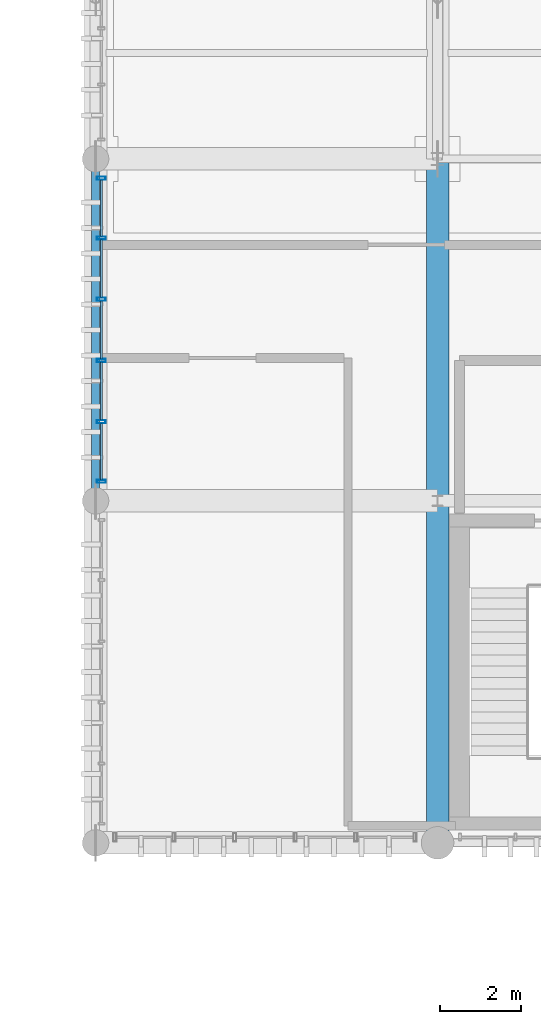
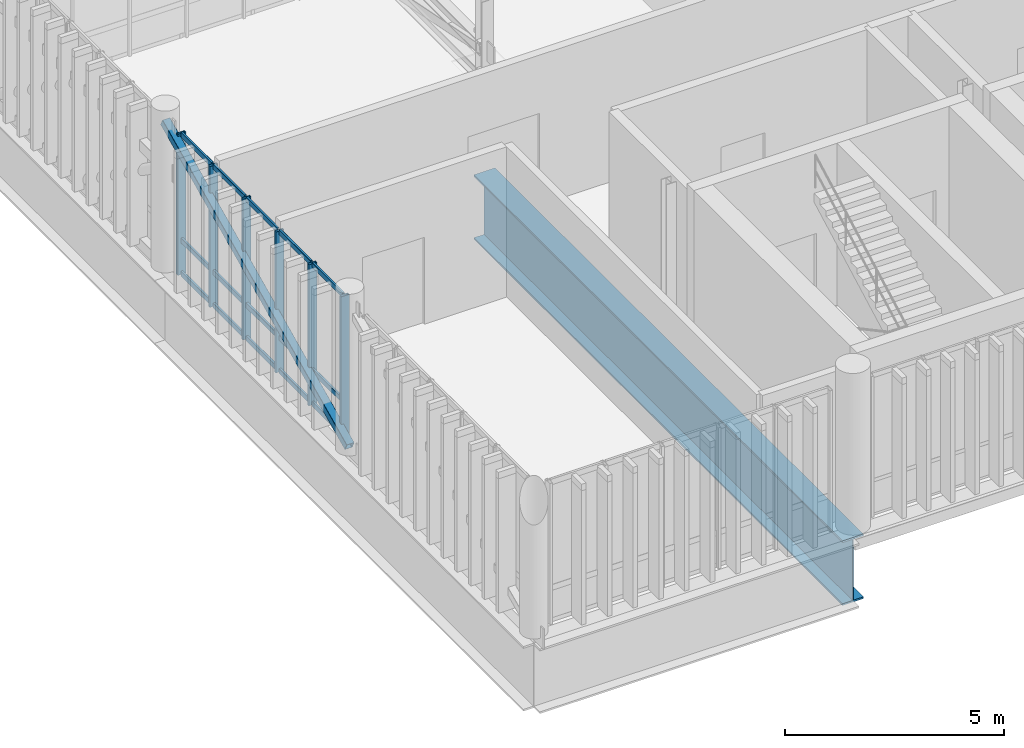
# One storey, part 29 of 53: 22 members, 1 beam, 1 element without a shape of its own.
"""IFC4 building model written with IfcOpenShell, lengths in metres."""

from ifc_helpers import new_model, si_unit, direction, frame, origin_with_axes, origin_2d_with_axis, place, context, subcontext, project, spatial, hollow_rectangle, i_section, extrude, material, material_profile, profile_set, type_object, element, aggregate, save


model = new_model("IFC4")

# Units and contexts
model_context = context("Model", 3, precision=1e-05, world=origin_with_axes(), true_north=direction((0.0, 1.0)))
body_context = subcontext(model_context, "Body", "Model", "MODEL_VIEW")
ifc_project = project(units=[si_unit("LENGTHUNIT", "METRE"), si_unit("AREAUNIT", "SQUARE_METRE"), si_unit("VOLUMEUNIT", "CUBIC_METRE"), si_unit("PLANEANGLEUNIT", "RADIAN"), si_unit("MASSUNIT", "GRAM", prefix="KILO"), si_unit("THERMODYNAMICTEMPERATUREUNIT", "KELVIN")], contexts=[model_context])

# Site, building, storey
site_placement = place(None, origin_with_axes())
site = spatial("IfcSite", under=ifc_project, at=site_placement, CompositionType="ELEMENT")
building_placement = place(site_placement, origin_with_axes())
building = spatial("IfcBuilding", under=site, at=building_placement, Name="Montbau Bow Law Courts", CompositionType="ELEMENT")
storey_placement = place(building_placement, frame((0.0, 0.0, 39.0), z_axis=(0.0, 0.0, 1.0), x_axis=(1.0, 0.0, 0.0)))
storey = spatial("IfcBuildingStorey", under=building, at=storey_placement, Name="L08", CompositionType="ELEMENT", Elevation=39.0)

# Beam
ifc_material_1 = material(Name="Steel CSA G40.21 Grade 350WT (350 MPa)", Category="steel")
ifc_material_profile_1 = material_profile(ifc_material_1, i_section(OverallWidth=0.55, OverallDepth=1.8, WebThickness=0.022, FlangeThickness=0.05, at=origin_2d_with_axis()), Name="WWF1800X550", Category="Main", Priority=0)
ifc_profile_set_1 = profile_set([ifc_material_profile_1], Name="Steel CSA G40.21 Grade 350WT (350 MPa)")
beam_type = type_object("IfcBeamType", Name="B-TRG-01", PredefinedType="USERDEFINED", material=ifc_profile_set_1)
beam_placement = place(None, frame((147.0, 86.4, 37.76), z_axis=(0.0, 1.0, 0.0), x_axis=(-1.0, 0.0, 0.0)))
element("IfcBeam", 1, at=beam_placement, inside=storey, type_object=beam_type, Name="TRG-L08-S0098:bm2_0101", ObjectType="GIRDER", PredefinedType="USERDEFINED", context=body_context, shape_type="SweptSolid", body=[
    extrude(i_section(OverallWidth=0.55, OverallDepth=1.8, WebThickness=0.022, FlangeThickness=0.05, at=origin_2d_with_axis()), origin_with_axes(), (0.0, 0.0, 1.0), 16.8),
])

# Member
ifc_material_2 = material(Name="Steel CSA G40.21 Grade 350W (350 MPa)", Category="steel")
ifc_material_profile_2 = material_profile(ifc_material_2, hollow_rectangle(XDim=0.203, YDim=0.203, WallThickness=0.0111, InnerFilletRadius=0.0222, OuterFilletRadius=0.0111, at=origin_2d_with_axis()), Name="HSS203X203X11", Category="Main", Priority=0)
ifc_profile_set_2 = profile_set([ifc_material_profile_2], Name="Steel CSA G40.21 Grade 350W (350 MPa)")
member_type_1 = type_object("IfcMemberType", Name="M-BRC-02", PredefinedType="BRACE", material=ifc_profile_set_2)
member_1_placement = place(None, frame((138.6, 94.8, 39.05), z_axis=(0.0, 0.905065175, 0.425272887), x_axis=(-1.0, 0.0, 0.0)))
element("IfcMember", 2, at=member_1_placement, inside=storey, type_object=member_type_1, Name="Diagonal brace CBF-L08-072A", PredefinedType="BRACE", context=body_context, shape_type="SweptSolid", body=[
    extrude(hollow_rectangle(XDim=0.203, YDim=0.203, WallThickness=0.0111, InnerFilletRadius=0.0222, OuterFilletRadius=0.0111, at=origin_2d_with_axis()), origin_with_axes(), (0.0, 0.0, 1.0), 9.2811),
])

# Curtain wall, members
ifc_material_3 = material(Name="Thermally Broken Extruded Aluminium AA 6063-T6", Category="aluminium")
curtain_wall_type = type_object("IfcCurtainWallType", Name="CW-CRM-03", PredefinedType="NOTDEFINED", material=ifc_material_3)
curtain_wall_placement = place(None, frame((138.74, 95.24, 39.0), z_axis=(0.0, 0.0, 1.0), x_axis=(1.0, 0.0, 0.0)))
curtain_wall = element("IfcCurtainWall", 3, at=curtain_wall_placement, inside=storey, type_object=curtain_wall_type, Name="CW-L08-381:cw_0381", PredefinedType="NOTDEFINED")
ifc_material_profile_3 = material_profile(ifc_material_3, hollow_rectangle(XDim=0.075, YDim=0.22, WallThickness=0.005, InnerFilletRadius=0.01, OuterFilletRadius=0.005, at=origin_2d_with_axis()), Name="CWM-220X75", Category="Main", Priority=0)
ifc_profile_set_3 = profile_set([ifc_material_profile_3], Name="Thermally Broken Extruded Aluminium AA 6063-T6")
member_type_2 = type_object("IfcMemberType", Name="M-MUL-01", PredefinedType="MULLION", material=ifc_profile_set_3)
member_2_placement = place(None, frame((138.74, 95.277, 39.0), z_axis=(0.0, 0.0, 1.0), x_axis=(0.0, 1.0, 0.0)))
member_2 = element("IfcMember", 4, at=member_2_placement, type_object=member_type_2, Name="CW-L08-381-M01:cw_0381_M01", PredefinedType="MULLION", context=body_context, shape_type="SweptSolid", body=[
    extrude(hollow_rectangle(XDim=0.075, YDim=0.22, WallThickness=0.005, InnerFilletRadius=0.01, OuterFilletRadius=0.005, at=origin_2d_with_axis()), origin_with_axes(), (0.0, 0.0, 1.0), 3.92),
])
member_3_placement = place(None, frame((138.74, 96.744, 39.0), z_axis=(0.0, 0.0, 1.0), x_axis=(0.0, 1.0, 0.0)))
member_3 = element("IfcMember", 5, at=member_3_placement, type_object=member_type_2, Name="CW-L08-381-M02:cw_0381_M02", PredefinedType="MULLION", context=body_context, shape_type="SweptSolid", body=[
    extrude(hollow_rectangle(XDim=0.075, YDim=0.22, WallThickness=0.005, InnerFilletRadius=0.01, OuterFilletRadius=0.005, at=origin_2d_with_axis()), origin_with_axes(), (0.0, 0.0, 1.0), 3.92),
])
member_4_placement = place(None, frame((138.74, 98.248, 39.0), z_axis=(0.0, 0.0, 1.0), x_axis=(0.0, 1.0, 0.0)))
member_4 = element("IfcMember", 6, at=member_4_placement, type_object=member_type_2, Name="CW-L08-381-M03:cw_0381_M03", PredefinedType="MULLION", context=body_context, shape_type="SweptSolid", body=[
    extrude(hollow_rectangle(XDim=0.075, YDim=0.22, WallThickness=0.005, InnerFilletRadius=0.01, OuterFilletRadius=0.005, at=origin_2d_with_axis()), origin_with_axes(), (0.0, 0.0, 1.0), 3.92),
])
member_5_placement = place(None, frame((138.74, 99.752, 39.0), z_axis=(0.0, 0.0, 1.0), x_axis=(0.0, 1.0, 0.0)))
member_5 = element("IfcMember", 7, at=member_5_placement, type_object=member_type_2, Name="CW-L08-381-M04:cw_0381_M04", PredefinedType="MULLION", context=body_context, shape_type="SweptSolid", body=[
    extrude(hollow_rectangle(XDim=0.075, YDim=0.22, WallThickness=0.005, InnerFilletRadius=0.01, OuterFilletRadius=0.005, at=origin_2d_with_axis()), origin_with_axes(), (0.0, 0.0, 1.0), 3.92),
])
member_6_placement = place(None, frame((138.74, 101.256, 39.0), z_axis=(0.0, 0.0, 1.0), x_axis=(0.0, 1.0, 0.0)))
member_6 = element("IfcMember", 8, at=member_6_placement, type_object=member_type_2, Name="CW-L08-381-M05:cw_0381_M05", PredefinedType="MULLION", context=body_context, shape_type="SweptSolid", body=[
    extrude(hollow_rectangle(XDim=0.075, YDim=0.22, WallThickness=0.005, InnerFilletRadius=0.01, OuterFilletRadius=0.005, at=origin_2d_with_axis()), origin_with_axes(), (0.0, 0.0, 1.0), 3.92),
])
member_7_placement = place(None, frame((138.74, 102.723, 39.0), z_axis=(0.0, 0.0, 1.0), x_axis=(0.0, 1.0, 0.0)))
member_7 = element("IfcMember", 9, at=member_7_placement, type_object=member_type_2, Name="CW-L08-381-M06:cw_0381_M06", PredefinedType="MULLION", context=body_context, shape_type="SweptSolid", body=[
    extrude(hollow_rectangle(XDim=0.075, YDim=0.22, WallThickness=0.005, InnerFilletRadius=0.01, OuterFilletRadius=0.005, at=origin_2d_with_axis()), origin_with_axes(), (0.0, 0.0, 1.0), 3.92),
])
ifc_material_profile_4 = material_profile(ifc_material_3, hollow_rectangle(XDim=0.055, YDim=0.14, WallThickness=0.004, InnerFilletRadius=0.008, OuterFilletRadius=0.004, at=origin_2d_with_axis()), Name="CWT-140X55", Category="Main", Priority=0)
ifc_profile_set_4 = profile_set([ifc_material_profile_4], Name="Thermally Broken Extruded Aluminium AA 6063-T6")
member_type_3 = type_object("IfcMemberType", Name="M-TRN-02", PredefinedType="USERDEFINED", material=ifc_profile_set_4)
member_8_placement = place(None, frame((138.74, 95.316, 39.028), z_axis=(0.0, 1.0, 0.0), x_axis=(-1.0, 0.0, 0.0)))
member_8 = element("IfcMember", 10, at=member_8_placement, type_object=member_type_3, Name="CW-L08-381-T01-1:cw_0381_T01_1", ObjectType="TRANSOM", PredefinedType="USERDEFINED", context=body_context, shape_type="SweptSolid", body=[
    extrude(hollow_rectangle(XDim=0.055, YDim=0.14, WallThickness=0.004, InnerFilletRadius=0.008, OuterFilletRadius=0.004, at=origin_2d_with_axis()), origin_with_axes(), (0.0, 0.0, 1.0), 1.388),
])
member_9_placement = place(None, frame((138.74, 95.316, 39.95), z_axis=(0.0, 1.0, 0.0), x_axis=(-1.0, 0.0, 0.0)))
member_9 = element("IfcMember", 11, at=member_9_placement, type_object=member_type_3, Name="CW-L08-381-T01-2:cw_0381_T01_2", ObjectType="TRANSOM", PredefinedType="USERDEFINED", context=body_context, shape_type="SweptSolid", body=[
    extrude(hollow_rectangle(XDim=0.055, YDim=0.14, WallThickness=0.004, InnerFilletRadius=0.008, OuterFilletRadius=0.004, at=origin_2d_with_axis()), origin_with_axes(), (0.0, 0.0, 1.0), 1.388),
])
member_10_placement = place(None, frame((138.74, 95.316, 42.892), z_axis=(0.0, 1.0, 0.0), x_axis=(-1.0, 0.0, 0.0)))
member_10 = element("IfcMember", 12, at=member_10_placement, type_object=member_type_3, Name="CW-L08-381-T01-3:cw_0381_T01_3", ObjectType="TRANSOM", PredefinedType="USERDEFINED", context=body_context, shape_type="SweptSolid", body=[
    extrude(hollow_rectangle(XDim=0.055, YDim=0.14, WallThickness=0.004, InnerFilletRadius=0.008, OuterFilletRadius=0.004, at=origin_2d_with_axis()), origin_with_axes(), (0.0, 0.0, 1.0), 1.388),
])
member_11_placement = place(None, frame((138.74, 96.784, 39.028), z_axis=(0.0, 1.0, 0.0), x_axis=(-1.0, 0.0, 0.0)))
member_11 = element("IfcMember", 13, at=member_11_placement, type_object=member_type_3, Name="CW-L08-381-T02-1:cw_0381_T02_1", ObjectType="TRANSOM", PredefinedType="USERDEFINED", context=body_context, shape_type="SweptSolid", body=[
    extrude(hollow_rectangle(XDim=0.055, YDim=0.14, WallThickness=0.004, InnerFilletRadius=0.008, OuterFilletRadius=0.004, at=origin_2d_with_axis()), origin_with_axes(), (0.0, 0.0, 1.0), 1.425),
])
member_12_placement = place(None, frame((138.74, 96.784, 39.95), z_axis=(0.0, 1.0, 0.0), x_axis=(-1.0, 0.0, 0.0)))
member_12 = element("IfcMember", 14, at=member_12_placement, type_object=member_type_3, Name="CW-L08-381-T02-2:cw_0381_T02_2", ObjectType="TRANSOM", PredefinedType="USERDEFINED", context=body_context, shape_type="SweptSolid", body=[
    extrude(hollow_rectangle(XDim=0.055, YDim=0.14, WallThickness=0.004, InnerFilletRadius=0.008, OuterFilletRadius=0.004, at=origin_2d_with_axis()), origin_with_axes(), (0.0, 0.0, 1.0), 1.425),
])
member_13_placement = place(None, frame((138.74, 96.784, 42.892), z_axis=(0.0, 1.0, 0.0), x_axis=(-1.0, 0.0, 0.0)))
member_13 = element("IfcMember", 15, at=member_13_placement, type_object=member_type_3, Name="CW-L08-381-T02-3:cw_0381_T02_3", ObjectType="TRANSOM", PredefinedType="USERDEFINED", context=body_context, shape_type="SweptSolid", body=[
    extrude(hollow_rectangle(XDim=0.055, YDim=0.14, WallThickness=0.004, InnerFilletRadius=0.008, OuterFilletRadius=0.004, at=origin_2d_with_axis()), origin_with_axes(), (0.0, 0.0, 1.0), 1.425),
])
member_14_placement = place(None, frame((138.74, 98.287, 39.028), z_axis=(0.0, 1.0, 0.0), x_axis=(-1.0, 0.0, 0.0)))
member_14 = element("IfcMember", 16, at=member_14_placement, type_object=member_type_3, Name="CW-L08-381-T03-1:cw_0381_T03_1", ObjectType="TRANSOM", PredefinedType="USERDEFINED", context=body_context, shape_type="SweptSolid", body=[
    extrude(hollow_rectangle(XDim=0.055, YDim=0.14, WallThickness=0.004, InnerFilletRadius=0.008, OuterFilletRadius=0.004, at=origin_2d_with_axis()), origin_with_axes(), (0.0, 0.0, 1.0), 1.426),
])
member_15_placement = place(None, frame((138.74, 98.287, 39.95), z_axis=(0.0, 1.0, 0.0), x_axis=(-1.0, 0.0, 0.0)))
member_15 = element("IfcMember", 17, at=member_15_placement, type_object=member_type_3, Name="CW-L08-381-T03-2:cw_0381_T03_2", ObjectType="TRANSOM", PredefinedType="USERDEFINED", context=body_context, shape_type="SweptSolid", body=[
    extrude(hollow_rectangle(XDim=0.055, YDim=0.14, WallThickness=0.004, InnerFilletRadius=0.008, OuterFilletRadius=0.004, at=origin_2d_with_axis()), origin_with_axes(), (0.0, 0.0, 1.0), 1.426),
])
member_16_placement = place(None, frame((138.74, 98.287, 42.892), z_axis=(0.0, 1.0, 0.0), x_axis=(-1.0, 0.0, 0.0)))
member_16 = element("IfcMember", 18, at=member_16_placement, type_object=member_type_3, Name="CW-L08-381-T03-3:cw_0381_T03_3", ObjectType="TRANSOM", PredefinedType="USERDEFINED", context=body_context, shape_type="SweptSolid", body=[
    extrude(hollow_rectangle(XDim=0.055, YDim=0.14, WallThickness=0.004, InnerFilletRadius=0.008, OuterFilletRadius=0.004, at=origin_2d_with_axis()), origin_with_axes(), (0.0, 0.0, 1.0), 1.426),
])
member_17_placement = place(None, frame((138.74, 99.791, 39.028), z_axis=(0.0, 1.0, 0.0), x_axis=(-1.0, 0.0, 0.0)))
member_17 = element("IfcMember", 19, at=member_17_placement, type_object=member_type_3, Name="CW-L08-381-T04-1:cw_0381_T04_1", ObjectType="TRANSOM", PredefinedType="USERDEFINED", context=body_context, shape_type="SweptSolid", body=[
    extrude(hollow_rectangle(XDim=0.055, YDim=0.14, WallThickness=0.004, InnerFilletRadius=0.008, OuterFilletRadius=0.004, at=origin_2d_with_axis()), origin_with_axes(), (0.0, 0.0, 1.0), 1.426),
])
member_18_placement = place(None, frame((138.74, 99.791, 39.95), z_axis=(0.0, 1.0, 0.0), x_axis=(-1.0, 0.0, 0.0)))
member_18 = element("IfcMember", 20, at=member_18_placement, type_object=member_type_3, Name="CW-L08-381-T04-2:cw_0381_T04_2", ObjectType="TRANSOM", PredefinedType="USERDEFINED", context=body_context, shape_type="SweptSolid", body=[
    extrude(hollow_rectangle(XDim=0.055, YDim=0.14, WallThickness=0.004, InnerFilletRadius=0.008, OuterFilletRadius=0.004, at=origin_2d_with_axis()), origin_with_axes(), (0.0, 0.0, 1.0), 1.426),
])
member_19_placement = place(None, frame((138.74, 99.791, 42.892), z_axis=(0.0, 1.0, 0.0), x_axis=(-1.0, 0.0, 0.0)))
member_19 = element("IfcMember", 21, at=member_19_placement, type_object=member_type_3, Name="CW-L08-381-T04-3:cw_0381_T04_3", ObjectType="TRANSOM", PredefinedType="USERDEFINED", context=body_context, shape_type="SweptSolid", body=[
    extrude(hollow_rectangle(XDim=0.055, YDim=0.14, WallThickness=0.004, InnerFilletRadius=0.008, OuterFilletRadius=0.004, at=origin_2d_with_axis()), origin_with_axes(), (0.0, 0.0, 1.0), 1.426),
])
member_20_placement = place(None, frame((138.74, 101.295, 39.028), z_axis=(0.0, 1.0, 0.0), x_axis=(-1.0, 0.0, 0.0)))
member_20 = element("IfcMember", 22, at=member_20_placement, type_object=member_type_3, Name="CW-L08-381-T05-1:cw_0381_T05_1", ObjectType="TRANSOM", PredefinedType="USERDEFINED", context=body_context, shape_type="SweptSolid", body=[
    extrude(hollow_rectangle(XDim=0.055, YDim=0.14, WallThickness=0.004, InnerFilletRadius=0.008, OuterFilletRadius=0.004, at=origin_2d_with_axis()), origin_with_axes(), (0.0, 0.0, 1.0), 1.389),
])
member_21_placement = place(None, frame((138.74, 101.295, 39.95), z_axis=(0.0, 1.0, 0.0), x_axis=(-1.0, 0.0, 0.0)))
member_21 = element("IfcMember", 23, at=member_21_placement, type_object=member_type_3, Name="CW-L08-381-T05-2:cw_0381_T05_2", ObjectType="TRANSOM", PredefinedType="USERDEFINED", context=body_context, shape_type="SweptSolid", body=[
    extrude(hollow_rectangle(XDim=0.055, YDim=0.14, WallThickness=0.004, InnerFilletRadius=0.008, OuterFilletRadius=0.004, at=origin_2d_with_axis()), origin_with_axes(), (0.0, 0.0, 1.0), 1.389),
])
member_22_placement = place(None, frame((138.74, 101.295, 42.892), z_axis=(0.0, 1.0, 0.0), x_axis=(-1.0, 0.0, 0.0)))
member_22 = element("IfcMember", 24, at=member_22_placement, type_object=member_type_3, Name="CW-L08-381-T05-3:cw_0381_T05_3", ObjectType="TRANSOM", PredefinedType="USERDEFINED", context=body_context, shape_type="SweptSolid", body=[
    extrude(hollow_rectangle(XDim=0.055, YDim=0.14, WallThickness=0.004, InnerFilletRadius=0.008, OuterFilletRadius=0.004, at=origin_2d_with_axis()), origin_with_axes(), (0.0, 0.0, 1.0), 1.389),
])
aggregate(curtain_wall, [member_2, member_3, member_4, member_5, member_6, member_7, member_8, member_9, member_10, member_11, member_12, member_13, member_14, member_15, member_16, member_17, member_18, member_19, member_20, member_21, member_22])

save(model, "model.ifc")
